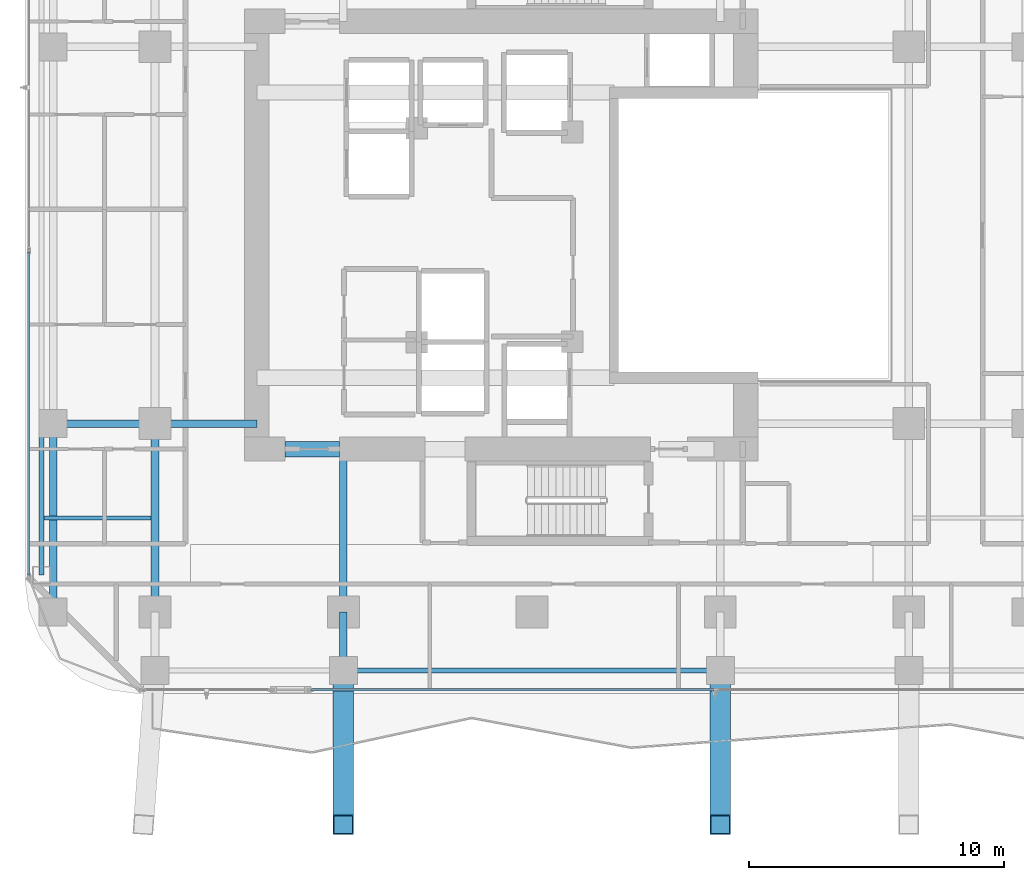
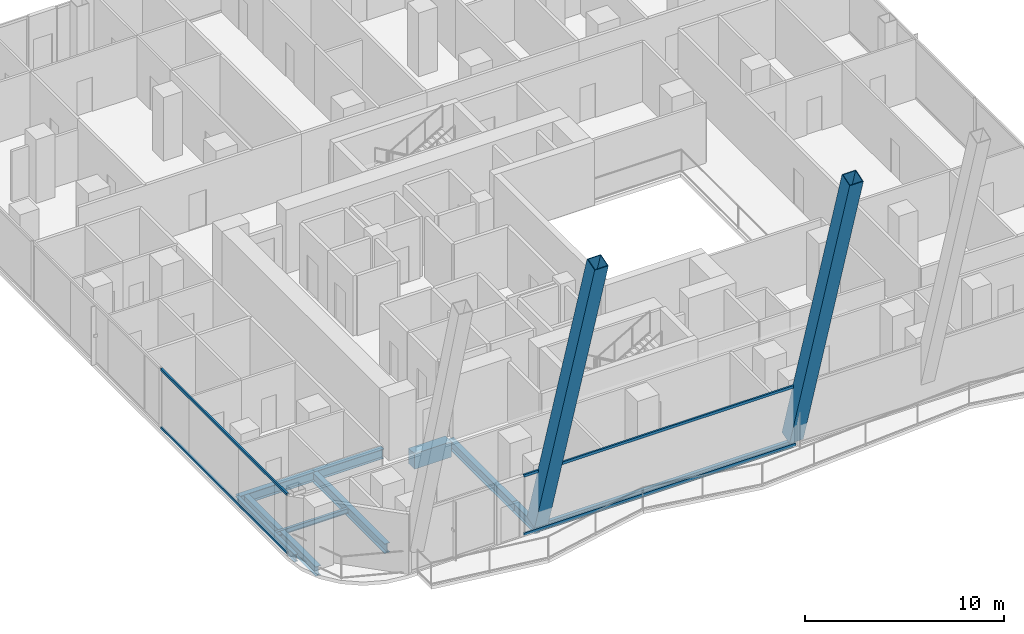
# One storey, part 3 of 30: 10 beams, 6 members, 2 elements without a shape of their own.
"""IFC4 building model written with IfcOpenShell, lengths in metres."""

from ifc_helpers import new_model, si_unit, direction, frame, origin, origin_2d, place, context, subcontext, project, spatial, rectangle, hollow_rectangle, i_section, extrude, material, layer, layer_set, material_profile, profile_set, type_object, element, aggregate, save


model = new_model("IFC4")

# Units and contexts
model_context = context("Model", 3, precision=1e-05, world=origin(), true_north=direction((0.0, 1.0)))
body_context = subcontext(model_context, "Body", "Model", "MODEL_VIEW")
ifc_project = project(units=[si_unit("LENGTHUNIT", "METRE"), si_unit("AREAUNIT", "SQUARE_METRE"), si_unit("VOLUMEUNIT", "CUBIC_METRE"), si_unit("PLANEANGLEUNIT", "RADIAN"), si_unit("MASSUNIT", "GRAM", prefix="KILO")], contexts=[model_context])

# Site, building, storey
site_placement = place(None, origin())
site = spatial("IfcSite", under=ifc_project, at=site_placement, CompositionType="ELEMENT")
building_placement = place(site_placement, origin())
building = spatial("IfcBuilding", under=site, at=building_placement, Name="Khorvyn Point Tower", CompositionType="ELEMENT")
storey_placement = place(building_placement, frame((0.0, 0.0, 117.300048828125)))
storey = spatial("IfcBuildingStorey", under=building, at=storey_placement, Name="L29", CompositionType="ELEMENT", Elevation=117.300048828125)

# Curtain wall, members
ifc_material_1 = material(Name="Anodised aluminium 6063-T6 and laminated Low-E glass", Category="aluminium")
ifc_layer = layer(ifc_material_1, 0.18994140625)
ifc_layer_set = layer_set([ifc_layer], Name="Stick-Built Acoustic Curtain Wall CW-SYS-03")
curtain_wall_type = type_object("IfcCurtainWallType", Name="Stick-Built Acoustic Curtain Wall CW-SYS-03", PredefinedType="NOTDEFINED", material=ifc_layer_set)
curtain_wall_1_placement = place(storey_placement, origin())
curtain_wall_1 = element("IfcCurtainWall", 1, at=curtain_wall_1_placement, inside=storey, type_object=curtain_wall_type, Name="Curtain Wall", PredefinedType="NOTDEFINED")
ifc_material_2 = material(Name="Anodised aluminium 6063-T6", Category="aluminium")
ifc_material_profile_1 = material_profile(ifc_material_2, hollow_rectangle(XDim=0.10009765625, YDim=0.159912109375, WallThickness=0.00439453125, at=origin_2d()))
ifc_profile_set_1 = profile_set([ifc_material_profile_1], Name="Anodised aluminium 6063-T6 ALU-TRN-100x160")
member_type_1 = type_object("IfcMemberType", Name="Anodised Aluminium 6063-T6 Transom ALU-TRN-100x160", PredefinedType="USERDEFINED", material=ifc_profile_set_1)
member_1_placement = place(storey_placement, frame((7.1494140625, -17.85009765625, 0.050048828125), z_axis=(-1.0, 0.0, 0.0), x_axis=(0.0, -1.0, 0.0)))
member_1 = element("IfcMember", 2, at=member_1_placement, type_object=member_type_1, Name="Transom", ObjectType="TRANSOM", PredefinedType="USERDEFINED", context=body_context, shape_type="SweptSolid", body=[
    extrude(hollow_rectangle(XDim=0.10009765625, YDim=0.159912109375, WallThickness=0.00439453125, at=origin_2d()), origin(), (0.0, 0.0, 1.0), 15.80029296875),
])
member_2_placement = place(storey_placement, frame((7.1494140625, -17.85009765625, 3.6298828125), z_axis=(-1.0, 0.0, 0.0), x_axis=(0.0, -1.0, 0.0)))
member_2 = element("IfcMember", 3, at=member_2_placement, type_object=member_type_1, Name="Transom", ObjectType="TRANSOM", PredefinedType="USERDEFINED", context=body_context, shape_type="SweptSolid", body=[
    extrude(hollow_rectangle(XDim=0.10009765625, YDim=0.159912109375, WallThickness=0.00439453125, at=origin_2d()), origin(), (0.0, 0.0, 1.0), 15.80029296875),
])
aggregate(curtain_wall_1, [member_1, member_2])

curtain_wall_2_placement = place(storey_placement, origin())
curtain_wall_2 = element("IfcCurtainWall", 4, at=curtain_wall_2_placement, inside=storey, type_object=curtain_wall_type, Name="Curtain Wall", PredefinedType="NOTDEFINED")
member_3_placement = place(storey_placement, frame((-19.75, -13.35009765625, 0.050048828125), z_axis=(0.0, 1.0, 0.0), x_axis=(-1.0, 0.0, 0.0)))
member_3 = element("IfcMember", 5, at=member_3_placement, type_object=member_type_1, Name="Transom", ObjectType="TRANSOM", PredefinedType="USERDEFINED", context=body_context, shape_type="SweptSolid", body=[
    extrude(hollow_rectangle(XDim=0.10009765625, YDim=0.159912109375, WallThickness=0.00439453125, at=origin_2d()), origin(), (0.0, 0.0, 1.0), 12.683349609375),
])
member_4_placement = place(storey_placement, frame((-19.75, -13.35009765625, 3.6298828125), z_axis=(0.0, 1.0, 0.0), x_axis=(-1.0, 0.0, 0.0)))
member_4 = element("IfcMember", 6, at=member_4_placement, type_object=member_type_1, Name="Transom", ObjectType="TRANSOM", PredefinedType="USERDEFINED", context=body_context, shape_type="SweptSolid", body=[
    extrude(hollow_rectangle(XDim=0.10009765625, YDim=0.159912109375, WallThickness=0.00439453125, at=origin_2d()), origin(), (0.0, 0.0, 1.0), 12.683349609375),
])
aggregate(curtain_wall_2, [member_3, member_4])

# Beams
ifc_material_3 = material(Name="Concrete C50/60", Category="concrete")
ifc_material_profile_2 = material_profile(ifc_material_3, rectangle(XDim=0.60009765625, YDim=0.949951171875, at=origin_2d()))
ifc_profile_set_2 = profile_set([ifc_material_profile_2], Name="Concrete C50/60 RC600x950")
beam_type_1 = type_object("IfcBeamType", Name="Concrete C50/60 Beam RC600x950", PredefinedType="BEAM", material=ifc_profile_set_2)
beam_1_placement = place(storey_placement, frame((-9.699951171875, -8.39990234375, -0.695068359375), z_axis=(1.0, 0.0, 0.0), x_axis=(0.0, 1.0, 0.0)))
element("IfcBeam", 7, at=beam_1_placement, inside=storey, type_object=beam_type_1, Name="L29 Core Southwest Portal Coupling Beam", PredefinedType="BEAM", context=body_context, shape_type="SweptSolid", body=[
    extrude(rectangle(XDim=0.60009765625, YDim=0.949951171875, at=origin_2d()), origin(), (0.0, 0.0, 1.0), 2.14990234375),
])
ifc_material_4 = material(Name="Steel S355", Category="steel")
ifc_material_profile_3 = material_profile(ifc_material_4, i_section(OverallWidth=0.300048828125, OverallDepth=0.587890625, WebThickness=0.011962890625, FlangeThickness=0.02001953125, at=origin_2d()))
ifc_profile_set_3 = profile_set([ifc_material_profile_3], Name="Steel S355 H588x300x12x20")
beam_type_2 = type_object("IfcBeamType", Name="Steel S355 Beam H588x300x12x20", PredefinedType="BEAM", material=ifc_profile_set_3)
beam_2_placement = place(storey_placement, frame((-19.25, -7.39990234375, -0.51416015625), z_axis=(1.0, 0.0, 0.0), x_axis=(0.0, 1.0, 0.0)))
element("IfcBeam", 8, at=beam_2_placement, inside=storey, type_object=beam_type_2, Name="Beam", PredefinedType="BEAM", context=body_context, shape_type="SweptSolid", body=[
    extrude(i_section(OverallWidth=0.300048828125, OverallDepth=0.587890625, WebThickness=0.011962890625, FlangeThickness=0.02001953125, at=origin_2d()), origin(), (0.0, 0.0, 1.0), 4.449951171875),
])
beam_3_placement = place(storey_placement, frame((-14.800048828125, -7.39990234375, -0.51416015625), z_axis=(1.0, 0.0, 0.0), x_axis=(0.0, 1.0, 0.0)))
element("IfcBeam", 9, at=beam_3_placement, inside=storey, type_object=beam_type_2, Name="Beam", PredefinedType="BEAM", context=body_context, shape_type="SweptSolid", body=[
    extrude(i_section(OverallWidth=0.300048828125, OverallDepth=0.587890625, WebThickness=0.011962890625, FlangeThickness=0.02001953125, at=origin_2d()), origin(), (0.0, 0.0, 1.0), 4.0),
])
beam_4_placement = place(storey_placement, frame((-14.800048828125, -14.800048828125, -0.51416015625), z_axis=(0.0, 1.0, 0.0), x_axis=(-1.0, 0.0, 0.0)))
element("IfcBeam", 10, at=beam_4_placement, inside=storey, type_object=beam_type_2, Name="Beam", PredefinedType="BEAM", context=body_context, shape_type="SweptSolid", body=[
    extrude(i_section(OverallWidth=0.300048828125, OverallDepth=0.587890625, WebThickness=0.011962890625, FlangeThickness=0.02001953125, at=origin_2d()), origin(), (0.0, 0.0, 1.0), 7.400146484375),
])
beam_5_placement = place(storey_placement, frame((-7.39990234375, -17.10009765625, -0.51416015625), z_axis=(0.0, 1.0, 0.0), x_axis=(-1.0, 0.0, 0.0)))
element("IfcBeam", 11, at=beam_5_placement, inside=storey, type_object=beam_type_2, Name="Beam", PredefinedType="BEAM", context=body_context, shape_type="SweptSolid", body=[
    extrude(i_section(OverallWidth=0.300048828125, OverallDepth=0.587890625, WebThickness=0.011962890625, FlangeThickness=0.02001953125, at=origin_2d()), origin(), (0.0, 0.0, 1.0), 2.300048828125),
])
beam_6_placement = place(storey_placement, frame((-7.39990234375, -14.800048828125, -0.51416015625), z_axis=(0.0, 1.0, 0.0), x_axis=(-1.0, 0.0, 0.0)))
element("IfcBeam", 12, at=beam_6_placement, inside=storey, type_object=beam_type_2, Name="Beam", PredefinedType="BEAM", context=body_context, shape_type="SweptSolid", body=[
    extrude(i_section(OverallWidth=0.300048828125, OverallDepth=0.587890625, WebThickness=0.011962890625, FlangeThickness=0.02001953125, at=origin_2d()), origin(), (0.0, 0.0, 1.0), 6.400146484375),
])
beam_7_placement = place(storey_placement, frame((-18.800048828125, -14.800048828125, -0.51416015625), z_axis=(0.0, 1.0, 0.0), x_axis=(-1.0, 0.0, 0.0)))
element("IfcBeam", 13, at=beam_7_placement, inside=storey, type_object=beam_type_2, Name="Beam", PredefinedType="BEAM", context=body_context, shape_type="SweptSolid", body=[
    extrude(i_section(OverallWidth=0.300048828125, OverallDepth=0.587890625, WebThickness=0.011962890625, FlangeThickness=0.02001953125, at=origin_2d()), origin(), (0.0, 0.0, 1.0), 7.400146484375),
])
ifc_material_profile_4 = material_profile(ifc_material_4, i_section(OverallWidth=0.14990234375, OverallDepth=0.300048828125, WebThickness=0.006591796875, FlangeThickness=0.009033203125, at=origin_2d()))
ifc_profile_set_4 = profile_set([ifc_material_profile_4], Name="Steel S355 H300x150x6.5x9")
beam_type_3 = type_object("IfcBeamType", Name="Steel S355 Joist H300x150x6.5x9", PredefinedType="JOIST", material=ifc_profile_set_4)
beam_8_placement = place(storey_placement, frame((-19.14990234375, -11.10009765625, -0.3701171875), z_axis=(1.0, 0.0, 0.0), x_axis=(0.0, 1.0, 0.0)))
element("IfcBeam", 14, at=beam_8_placement, inside=storey, type_object=beam_type_3, Name="Beam", PredefinedType="JOIST", context=body_context, shape_type="SweptSolid", body=[
    extrude(i_section(OverallWidth=0.14990234375, OverallDepth=0.300048828125, WebThickness=0.006591796875, FlangeThickness=0.009033203125, at=origin_2d()), origin(), (0.0, 0.0, 1.0), 4.199951171875),
])
ifc_material_profile_5 = material_profile(ifc_material_4, i_section(OverallWidth=0.199951171875, OverallDepth=0.449951171875, WebThickness=0.009033203125, FlangeThickness=0.013916015625, at=origin_2d()))
ifc_profile_set_5 = profile_set([ifc_material_profile_5], Name="Steel S355 H450x200x9x14")
beam_type_4 = type_object("IfcBeamType", Name="Steel S355 Spandrel H450x200x9x14", PredefinedType="SPANDREL", material=ifc_profile_set_5)
beam_9_placement = place(storey_placement, frame((-7.39990234375, -17.10009765625, -0.445068359375), z_axis=(1.0, 0.0, 0.0), x_axis=(0.0, 1.0, 0.0)))
element("IfcBeam", 15, at=beam_9_placement, inside=storey, type_object=beam_type_4, Name="Beam", PredefinedType="SPANDREL", context=body_context, shape_type="SweptSolid", body=[
    extrude(i_section(OverallWidth=0.199951171875, OverallDepth=0.449951171875, WebThickness=0.009033203125, FlangeThickness=0.013916015625, at=origin_2d()), origin(), (0.0, 0.0, 1.0), 14.7998046875),
])
beam_10_placement = place(storey_placement, frame((-19.25, -13.35009765625, -0.445068359375), z_axis=(0.0, 1.0, 0.0), x_axis=(-1.0, 0.0, 0.0)))
element("IfcBeam", 16, at=beam_10_placement, inside=storey, type_object=beam_type_4, Name="Beam", PredefinedType="SPANDREL", context=body_context, shape_type="SweptSolid", body=[
    extrude(i_section(OverallWidth=0.199951171875, OverallDepth=0.449951171875, WebThickness=0.009033203125, FlangeThickness=0.013916015625, at=origin_2d()), origin(), (0.0, 0.0, 1.0), 5.9501953125),
])

# Members
ifc_material_5 = material(Name="Steel S450", Category="steel")
ifc_material_profile_6 = material_profile(ifc_material_5, hollow_rectangle(XDim=0.800048828125, YDim=0.800048828125, WallThickness=0.035888671875, at=origin_2d()))
ifc_profile_set_6 = profile_set([ifc_material_profile_6], Name="Steel S450 BOX800x800x36")
member_type_2 = type_object("IfcMemberType", Name="Steel S450 Exoskeleton Structural Post BOX800x800x36", PredefinedType="POST", material=ifc_profile_set_6)
for number, where, z_axis, x_axis, name in (
    (17, (-7.39990234375, -17.10009765625, 0.0), (0.0, -0.296313460149, 0.955090746126), (1.0, 0.0, 0.0), "L29 to L34 Exoskeleton Transfer Post 09"),
    (18, (7.39990234375, -17.10009765625, 0.0), (0.0, -0.296313460149, 0.955090746126), (1.0, 0.0, 0.0), "L29 to L34 Exoskeleton Transfer Post 11"),
):
    element("IfcMember", number, at=place(storey_placement, frame(where, z_axis=z_axis, x_axis=x_axis)), inside=storey, type_object=member_type_2, Name=name, PredefinedType="POST", context=body_context, shape_type="SweptSolid", body=[
        extrude(hollow_rectangle(XDim=0.800048828125, YDim=0.800048828125, WallThickness=0.035888671875, at=origin_2d()), origin(), (0.0, 0.0, 1.0), 20.4169921875),
    ])

save(model, "model.ifc")
